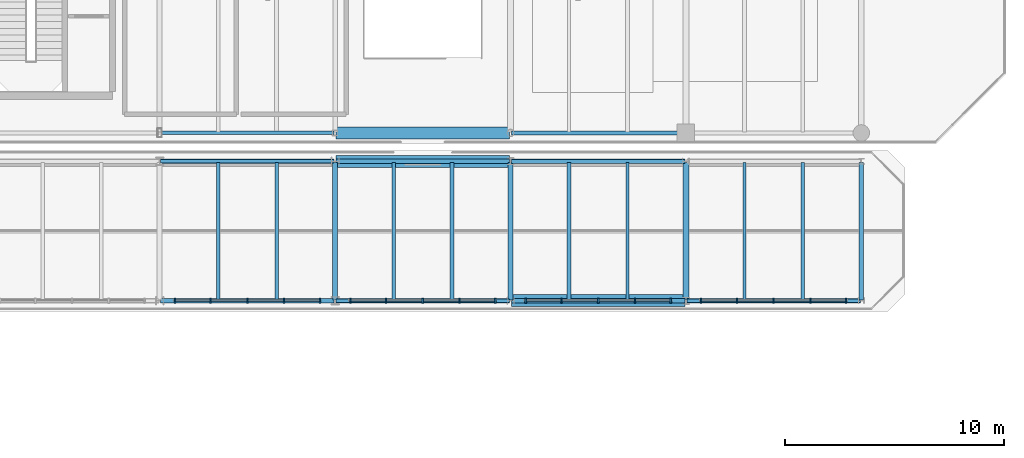
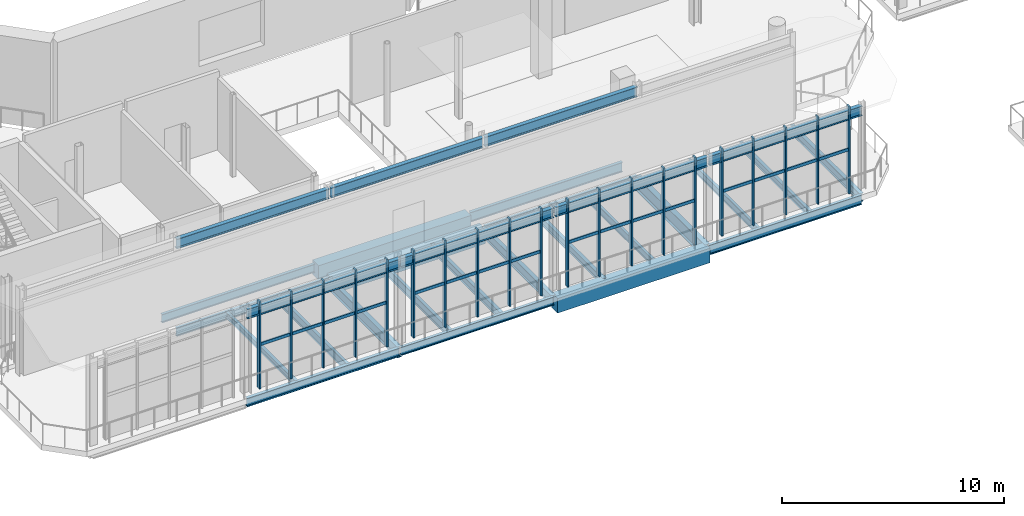
# One storey, part 36 of 93: 36 members, 29 beams, 4 elements without a shape of their own.
"""IFC4 building model written with IfcOpenShell, lengths in metres."""

from ifc_helpers import new_model, si_unit, direction, frame, origin, origin_2d, place, context, subcontext, project, spatial, rectangle, i_section, extrude, material, material_profile, profile_set, type_object, element, aggregate, save


model = new_model("IFC4")

# Units and contexts
model_context = context("Model", 3, precision=1e-05, world=origin(), true_north=direction((0.0, 1.0)))
body_context = subcontext(model_context, "Body", "Model", "MODEL_VIEW")
ifc_project = project(units=[si_unit("LENGTHUNIT", "METRE"), si_unit("AREAUNIT", "SQUARE_METRE"), si_unit("VOLUMEUNIT", "CUBIC_METRE"), si_unit("PLANEANGLEUNIT", "RADIAN"), si_unit("MASSUNIT", "GRAM", prefix="KILO")], contexts=[model_context])

# Site, building, storey
site_placement = place(None, origin())
site = spatial("IfcSite", under=ifc_project, at=site_placement, CompositionType="ELEMENT")
building_placement = place(site_placement, origin())
building = spatial("IfcBuilding", under=site, at=building_placement, Name="Brisemont Oceanarium", CompositionType="ELEMENT")
storey_placement = place(building_placement, frame((0.0, 0.0, 5.39990234375)))
storey = spatial("IfcBuildingStorey", under=building, at=storey_placement, Name="L01", CompositionType="ELEMENT", Elevation=5.39990234375)

# Beams
ifc_material_1 = material(Name="Concrete C40/50", Category="concrete")
ifc_material_profile_1 = material_profile(ifc_material_1, rectangle(XDim=0.550048828125, YDim=0.800048828125, at=origin_2d()), Name="RC-BM-550X800")
ifc_profile_set_1 = profile_set([ifc_material_profile_1], Name="Concrete C40/50")
beam_type_1 = type_object("IfcBeamType", Name="BM-RC550X800", PredefinedType="SPANDREL", material=ifc_profile_set_1)
for number, where, z_axis, x_axis, name in (
    (1, (80.0400390625, 32.64990234375, -0.739990234375), (1.0, 0.0, 0.0), (0.0, 1.0, 0.0), "V1 L01 EW girder"),
    (2, (88.0400390625, 25.0, -0.699951171875), (1.0, 0.0, 0.0), (0.0, 1.0, 0.0), "V1P L01 EW girder"),
    (3, (80.0400390625, 31.35009765625, -0.699951171875), (1.0, 0.0, 0.0), (0.0, 1.0, 0.0), "V1P L01 EW girder"),
):
    element("IfcBeam", number, at=place(storey_placement, frame(where, z_axis=z_axis, x_axis=x_axis)), inside=storey, type_object=beam_type_1, Name=name, PredefinedType="SPANDREL", context=body_context, shape_type="SweptSolid", body=[
        extrude(rectangle(XDim=0.550048828125, YDim=0.800048828125, at=origin_2d()), origin(), (0.0, 0.0, 1.0), 7.919921875),
    ])
ifc_material_2 = material(Name="Structural Steel ASTM A992 Gr.50", Category="steel")
ifc_material_profile_2 = material_profile(ifc_material_2, i_section(OverallWidth=0.1650390625, OverallDepth=0.31005859375, WebThickness=0.005859375, FlangeThickness=0.009765625, FilletRadius=0.008056640625, at=origin_2d()), Name="W12X26")
ifc_profile_set_2 = profile_set([ifc_material_profile_2], Name="Structural Steel ASTM A992 Gr.50")
beam_type_2 = type_object("IfcBeamType", Name="BM-W12X26", PredefinedType="JOIST", material=ifc_profile_set_2)
beam_1_placement = place(storey_placement, frame((74.666748046875, 25.0400390625, -0.454833984375), z_axis=(0.0, 1.0, 0.0), x_axis=(-1.0, 0.0, 0.0)))
element("IfcBeam", 4, at=beam_1_placement, inside=storey, type_object=beam_type_2, Name="V1P L01 secondary floor beam", PredefinedType="JOIST", context=body_context, shape_type="SweptSolid", body=[
    extrude(i_section(OverallWidth=0.1650390625, OverallDepth=0.31005859375, WebThickness=0.005859375, FlangeThickness=0.009765625, FilletRadius=0.008056640625, at=origin_2d()), origin(), (0.0, 0.0, 1.0), 6.27001953125),
])
ifc_material_3 = material(Name="Structural Steel ASTM A992 Gr.50", Category="steel")
ifc_material_profile_3 = material_profile(ifc_material_3, i_section(OverallWidth=0.1708984375, OverallDepth=0.35107421875, WebThickness=0.0068359375, FlangeThickness=0.009765625, FilletRadius=0.010009765625, at=origin_2d()), Name="W14X30")
ifc_profile_set_3 = profile_set([ifc_material_profile_3], Name="Structural Steel ASTM A992 Gr.50")
beam_type_3 = type_object("IfcBeamType", Name="BM-W14X30", PredefinedType="JOIST", material=ifc_profile_set_3)
beam_2_placement = place(storey_placement, frame((101.333251953125, 25.0400390625, -0.475341796875), z_axis=(0.0, 1.0, 0.0), x_axis=(-1.0, 0.0, 0.0)))
element("IfcBeam", 5, at=beam_2_placement, inside=storey, type_object=beam_type_3, Name="V1P L01 secondary floor beam", PredefinedType="JOIST", context=body_context, shape_type="SweptSolid", body=[
    extrude(i_section(OverallWidth=0.1708984375, OverallDepth=0.35107421875, WebThickness=0.0068359375, FlangeThickness=0.009765625, FilletRadius=0.010009765625, at=origin_2d()), origin(), (0.0, 0.0, 1.0), 6.27001953125),
])
ifc_material_4 = material(Name="Structural Steel ASTM A992 Gr.50", Category="steel")
ifc_material_profile_4 = material_profile(ifc_material_4, i_section(OverallWidth=0.139892578125, OverallDepth=0.39892578125, WebThickness=0.00634765625, FlangeThickness=0.0087890625, FilletRadius=0.010009765625, at=origin_2d()), Name="W16X26")
ifc_profile_set_4 = profile_set([ifc_material_profile_4], Name="Structural Steel ASTM A992 Gr.50")
beam_type_4 = type_object("IfcBeamType", Name="BM-W16X26", PredefinedType="JOIST", material=ifc_profile_set_4)
for number, where, z_axis, x_axis, name in (
    (6, (93.333251953125, 25.0400390625, -0.49951171875), (0.0, 1.0, 0.0), (-1.0, 0.0, 0.0), "V1P L01 secondary floor beam"),
    (7, (98.666748046875, 25.0400390625, -0.49951171875), (0.0, 1.0, 0.0), (-1.0, 0.0, 0.0), "V1P L01 secondary floor beam"),
):
    element("IfcBeam", number, at=place(storey_placement, frame(where, z_axis=z_axis, x_axis=x_axis)), inside=storey, type_object=beam_type_4, Name=name, PredefinedType="JOIST", context=body_context, shape_type="SweptSolid", body=[
        extrude(i_section(OverallWidth=0.139892578125, OverallDepth=0.39892578125, WebThickness=0.00634765625, FlangeThickness=0.0087890625, FilletRadius=0.010009765625, at=origin_2d()), origin(), (0.0, 0.0, 1.0), 6.27001953125),
    ])
ifc_material_5 = material(Name="Structural Steel ASTM A992 Gr.50", Category="steel")
ifc_material_profile_5 = material_profile(ifc_material_5, i_section(OverallWidth=0.177978515625, OverallDepth=0.404052734375, WebThickness=0.007568359375, FlangeThickness=0.010986328125, FilletRadius=0.010009765625, at=origin_2d()), Name="W16X36")
ifc_profile_set_5 = profile_set([ifc_material_profile_5], Name="Structural Steel ASTM A992 Gr.50")
beam_type_5 = type_object("IfcBeamType", Name="BM-W16X36", PredefinedType="JOIST", material=ifc_profile_set_5)
for number, where, z_axis, x_axis, name in (
    (8, (85.333251953125, 25.0400390625, -0.501953125), (0.0, 1.0, 0.0), (-1.0, 0.0, 0.0), "V1P L01 secondary floor beam"),
    (9, (90.666748046875, 25.0400390625, -0.501953125), (0.0, 1.0, 0.0), (-1.0, 0.0, 0.0), "V1P L01 secondary floor beam"),
):
    element("IfcBeam", number, at=place(storey_placement, frame(where, z_axis=z_axis, x_axis=x_axis)), inside=storey, type_object=beam_type_5, Name=name, PredefinedType="JOIST", context=body_context, shape_type="SweptSolid", body=[
        extrude(i_section(OverallWidth=0.177978515625, OverallDepth=0.404052734375, WebThickness=0.007568359375, FlangeThickness=0.010986328125, FilletRadius=0.010009765625, at=origin_2d()), origin(), (0.0, 0.0, 1.0), 6.27001953125),
    ])
ifc_material_6 = material(Name="Structural Steel ASTM A992 Gr.50", Category="steel")
ifc_material_profile_6 = material_profile(ifc_material_6, i_section(OverallWidth=0.153076171875, OverallDepth=0.455078125, WebThickness=0.008056640625, FlangeThickness=0.01318359375, FilletRadius=0.010986328125, at=origin_2d()), Name="W18X40")
ifc_profile_set_6 = profile_set([ifc_material_profile_6], Name="Structural Steel ASTM A992 Gr.50")
beam_type_6 = type_object("IfcBeamType", Name="BM-W18X40", PredefinedType="JOIST", material=ifc_profile_set_6)
for number, where, z_axis, x_axis, name in (
    (10, (77.333251953125, 25.0400390625, -0.52734375), (0.0, 1.0, 0.0), (-1.0, 0.0, 0.0), "V1P L01 secondary floor beam"),
    (11, (82.666748046875, 25.0400390625, -0.52734375), (0.0, 1.0, 0.0), (-1.0, 0.0, 0.0), "V1P L01 secondary floor beam"),
):
    element("IfcBeam", number, at=place(storey_placement, frame(where, z_axis=z_axis, x_axis=x_axis)), inside=storey, type_object=beam_type_6, Name=name, PredefinedType="JOIST", context=body_context, shape_type="SweptSolid", body=[
        extrude(i_section(OverallWidth=0.153076171875, OverallDepth=0.455078125, WebThickness=0.008056640625, FlangeThickness=0.01318359375, FilletRadius=0.010986328125, at=origin_2d()), origin(), (0.0, 0.0, 1.0), 6.27001953125),
    ])
ifc_material_7 = material(Name="Structural Steel ASTM A992 Gr.50", Category="steel")
ifc_material_profile_7 = material_profile(ifc_material_7, i_section(OverallWidth=0.154052734375, OverallDepth=0.458984375, WebThickness=0.009033203125, FlangeThickness=0.015380859375, FilletRadius=0.010986328125, at=origin_2d()), Name="W18X46")
ifc_profile_set_7 = profile_set([ifc_material_profile_7], Name="Structural Steel ASTM A992 Gr.50")
beam_type_7 = type_object("IfcBeamType", Name="BM-W18X46", PredefinedType="SPANDREL", material=ifc_profile_set_7)
for number, where, z_axis, x_axis, name in (
    (12, (72.0400390625, 32.64990234375, -0.5693359375), (1.0, 0.0, 0.0), (0.0, 1.0, 0.0), "V1 L01 EW girder"),
    (13, (80.0400390625, 25.0, -0.529296875), (1.0, 0.0, 0.0), (0.0, 1.0, 0.0), "V1P L01 EW girder"),
    (14, (72.0400390625, 31.35009765625, -0.529296875), (1.0, 0.0, 0.0), (0.0, 1.0, 0.0), "V1P L01 EW girder"),
):
    element("IfcBeam", number, at=place(storey_placement, frame(where, z_axis=z_axis, x_axis=x_axis)), inside=storey, type_object=beam_type_7, Name=name, PredefinedType="SPANDREL", context=body_context, shape_type="SweptSolid", body=[
        extrude(i_section(OverallWidth=0.154052734375, OverallDepth=0.458984375, WebThickness=0.009033203125, FlangeThickness=0.015380859375, FilletRadius=0.010986328125, at=origin_2d()), origin(), (0.0, 0.0, 1.0), 7.919921875),
    ])
ifc_material_8 = material(Name="Structural Steel ASTM A992 Gr.50", Category="steel")
ifc_material_profile_8 = material_profile(ifc_material_8, i_section(OverallWidth=0.19091796875, OverallDepth=0.4599609375, WebThickness=0.010009765625, FlangeThickness=0.01611328125, FilletRadius=0.010986328125, at=origin_2d()), Name="W18X55")
ifc_profile_set_8 = profile_set([ifc_material_profile_8], Name="Structural Steel ASTM A992 Gr.50")
beam_type_8 = type_object("IfcBeamType", Name="BM-W18X55", PredefinedType="SPANDREL", material=ifc_profile_set_8)
beam_3_placement = place(storey_placement, frame((72.0400390625, 25.0, -0.52978515625), z_axis=(1.0, 0.0, 0.0), x_axis=(0.0, 1.0, 0.0)))
element("IfcBeam", 15, at=beam_3_placement, inside=storey, type_object=beam_type_8, Name="V1P L01 EW girder", PredefinedType="SPANDREL", context=body_context, shape_type="SweptSolid", body=[
    extrude(i_section(OverallWidth=0.19091796875, OverallDepth=0.4599609375, WebThickness=0.010009765625, FlangeThickness=0.01611328125, FilletRadius=0.010986328125, at=origin_2d()), origin(), (0.0, 0.0, 1.0), 7.919921875),
])
beam_4_placement = place(storey_placement, frame((104.0, 25.0400390625, -0.52978515625), z_axis=(0.0, 1.0, 0.0), x_axis=(-1.0, 0.0, 0.0)))
element("IfcBeam", 16, at=beam_4_placement, inside=storey, type_object=beam_type_8, Name="V1P L01 NS girder", PredefinedType="SPANDREL", context=body_context, shape_type="SweptSolid", body=[
    extrude(i_section(OverallWidth=0.19091796875, OverallDepth=0.4599609375, WebThickness=0.010009765625, FlangeThickness=0.01611328125, FilletRadius=0.010986328125, at=origin_2d()), origin(), (0.0, 0.0, 1.0), 6.27001953125),
])
ifc_material_9 = material(Name="Structural Steel ASTM A992 Gr.50", Category="steel")
ifc_material_profile_9 = material_profile(ifc_material_9, i_section(OverallWidth=0.166015625, OverallDepth=0.528076171875, WebThickness=0.009765625, FlangeThickness=0.013671875, FilletRadius=0.012939453125, at=origin_2d()), Name="W21X50")
ifc_profile_set_9 = profile_set([ifc_material_profile_9], Name="Structural Steel ASTM A992 Gr.50")
beam_type_9 = type_object("IfcBeamType", Name="BM-W21X50", PredefinedType="SPANDREL", material=ifc_profile_set_9)
for number, where, z_axis, x_axis, name in (
    (17, (88.0400390625, 32.64990234375, -0.60400390625), (1.0, 0.0, 0.0), (0.0, 1.0, 0.0), "V1 L01 EW girder"),
    (18, (96.0400390625, 25.0, -0.56396484375), (1.0, 0.0, 0.0), (0.0, 1.0, 0.0), "V1P L01 EW girder"),
    (19, (88.0400390625, 31.35009765625, -0.56396484375), (1.0, 0.0, 0.0), (0.0, 1.0, 0.0), "V1P L01 EW girder"),
):
    element("IfcBeam", number, at=place(storey_placement, frame(where, z_axis=z_axis, x_axis=x_axis)), inside=storey, type_object=beam_type_9, Name=name, PredefinedType="SPANDREL", context=body_context, shape_type="SweptSolid", body=[
        extrude(i_section(OverallWidth=0.166015625, OverallDepth=0.528076171875, WebThickness=0.009765625, FlangeThickness=0.013671875, FilletRadius=0.012939453125, at=origin_2d()), origin(), (0.0, 0.0, 1.0), 7.919921875),
    ])
ifc_material_10 = material(Name="Structural Steel ASTM A992 Gr.50", Category="steel")
ifc_material_profile_10 = material_profile(ifc_material_10, i_section(OverallWidth=0.2099609375, OverallDepth=0.532958984375, WebThickness=0.01025390625, FlangeThickness=0.015625, FilletRadius=0.012939453125, at=origin_2d()), Name="W21X62")
ifc_profile_set_10 = profile_set([ifc_material_profile_10], Name="Structural Steel ASTM A992 Gr.50")
beam_type_10 = type_object("IfcBeamType", Name="BM-W21X62", PredefinedType="BEAM", material=ifc_profile_set_10)
beam_5_placement = place(storey_placement, frame((88.0, 25.0400390625, -0.56640625), z_axis=(0.0, 1.0, 0.0), x_axis=(-1.0, 0.0, 0.0)))
element("IfcBeam", 20, at=beam_5_placement, inside=storey, type_object=beam_type_10, Name="V1P L01 NS girder", PredefinedType="BEAM", context=body_context, shape_type="SweptSolid", body=[
    extrude(i_section(OverallWidth=0.2099609375, OverallDepth=0.532958984375, WebThickness=0.01025390625, FlangeThickness=0.015625, FilletRadius=0.012939453125, at=origin_2d()), origin(), (0.0, 0.0, 1.0), 6.27001953125),
])
for number, where, z_axis, x_axis, name in (
    (21, (72.0400390625, 25.0, 4.33349609375), (1.0, 0.0, 0.0), (0.0, 1.0, 0.0), "V1P roof eave girder"),
    (22, (80.0400390625, 25.0, 4.33349609375), (1.0, 0.0, 0.0), (0.0, 1.0, 0.0), "V1P roof eave girder"),
    (23, (88.0400390625, 25.0, 4.33349609375), (1.0, 0.0, 0.0), (0.0, 1.0, 0.0), "V1P roof eave girder"),
    (24, (96.0400390625, 25.0, 4.33349609375), (1.0, 0.0, 0.0), (0.0, 1.0, 0.0), "V1P roof eave girder"),
    (25, (72.0400390625, 31.35009765625, 4.33349609375), (1.0, 0.0, 0.0), (0.0, 1.0, 0.0), "V1P roof eave girder"),
    (26, (80.0400390625, 31.35009765625, 4.33349609375), (1.0, 0.0, 0.0), (0.0, 1.0, 0.0), "V1P roof eave girder"),
    (27, (88.0400390625, 31.35009765625, 4.33349609375), (1.0, 0.0, 0.0), (0.0, 1.0, 0.0), "V1P roof eave girder"),
):
    element("IfcBeam", number, at=place(storey_placement, frame(where, z_axis=z_axis, x_axis=x_axis)), inside=storey, type_object=beam_type_10, Name=name, PredefinedType="BEAM", context=body_context, shape_type="SweptSolid", body=[
        extrude(i_section(OverallWidth=0.2099609375, OverallDepth=0.532958984375, WebThickness=0.01025390625, FlangeThickness=0.015625, FilletRadius=0.012939453125, at=origin_2d()), origin(), (0.0, 0.0, 1.0), 7.919921875),
    ])
ifc_material_11 = material(Name="Structural Steel ASTM A992 Gr.50", Category="steel")
ifc_material_profile_11 = material_profile(ifc_material_11, i_section(OverallWidth=0.22802734375, OverallDepth=0.60205078125, WebThickness=0.010498046875, FlangeThickness=0.014892578125, FilletRadius=0.012939453125, at=origin_2d()), Name="W24X68")
ifc_profile_set_11 = profile_set([ifc_material_profile_11], Name="Structural Steel ASTM A992 Gr.50")
beam_type_11 = type_object("IfcBeamType", Name="BM-W24X68", PredefinedType="BEAM", material=ifc_profile_set_11)
beam_6_placement = place(storey_placement, frame((80.0, 25.0400390625, -0.600830078125), z_axis=(0.0, 1.0, 0.0), x_axis=(-1.0, 0.0, 0.0)))
element("IfcBeam", 28, at=beam_6_placement, inside=storey, type_object=beam_type_11, Name="V1P L01 NS girder", PredefinedType="BEAM", context=body_context, shape_type="SweptSolid", body=[
    extrude(i_section(OverallWidth=0.22802734375, OverallDepth=0.60205078125, WebThickness=0.010498046875, FlangeThickness=0.014892578125, FilletRadius=0.012939453125, at=origin_2d()), origin(), (0.0, 0.0, 1.0), 6.27001953125),
])
ifc_material_12 = material(Name="Structural Steel ASTM A992 Gr.50", Category="steel")
ifc_material_profile_12 = material_profile(ifc_material_12, i_section(OverallWidth=0.26708984375, OverallDepth=0.761962890625, WebThickness=0.014404296875, FlangeThickness=0.021484375, FilletRadius=0.01611328125, at=origin_2d()), Name="W30X116")
ifc_profile_set_12 = profile_set([ifc_material_profile_12], Name="Structural Steel ASTM A992 Gr.50")
beam_type_12 = type_object("IfcBeamType", Name="BM-W30X116", PredefinedType="BEAM", material=ifc_profile_set_12)
beam_7_placement = place(storey_placement, frame((96.0, 25.0400390625, -0.680908203125), z_axis=(0.0, 1.0, 0.0), x_axis=(-1.0, 0.0, 0.0)))
element("IfcBeam", 29, at=beam_7_placement, inside=storey, type_object=beam_type_12, Name="V1P L01 NS girder", PredefinedType="BEAM", context=body_context, shape_type="SweptSolid", body=[
    extrude(i_section(OverallWidth=0.26708984375, OverallDepth=0.761962890625, WebThickness=0.014404296875, FlangeThickness=0.021484375, FilletRadius=0.01611328125, at=origin_2d()), origin(), (0.0, 0.0, 1.0), 6.27001953125),
])

# Curtain wall, members
ifc_material_13 = material(Name="Anodized Extruded Aluminum 6063-T6", Category="aluminium")
curtain_wall_type = type_object("IfcCurtainWallType", Name="CW-ROT-69X44", PredefinedType="NOTDEFINED", material=ifc_material_13)
curtain_wall_1_placement = place(storey_placement, origin())
curtain_wall_1 = element("IfcCurtainWall", 30, at=curtain_wall_1_placement, inside=storey, type_object=curtain_wall_type, Name="CW-03 curtain wall CW-V1P-S-L01-02", PredefinedType="NOTDEFINED")
ifc_material_14 = material(Name="Anodized Extruded Aluminum 6063-T6", Category="aluminium")
ifc_material_profile_13 = material_profile(ifc_material_14, rectangle(XDim=0.074951171875, YDim=0.219970703125, at=origin_2d()), Name="CWM-75X220")
ifc_profile_set_13 = profile_set([ifc_material_profile_13], Name="Anodized Extruded Aluminum 6063-T6")
member_type_1 = type_object("IfcMemberType", Name="MEM-CWM-75", PredefinedType="MULLION", material=ifc_profile_set_13)
member_1_placement = place(storey_placement, frame((72.695068359375, 25.0, 0.0), z_axis=(0.0, 0.0, 1.0), x_axis=(1.0, 0.0, 0.0)))
member_1 = element("IfcMember", 31, at=member_1_placement, type_object=member_type_1, Name="CW-V1P-S-L01-02 mullion 1", PredefinedType="MULLION", context=body_context, shape_type="SweptSolid", body=[
    extrude(rectangle(XDim=0.074951171875, YDim=0.219970703125, at=origin_2d()), origin(), (0.0, 0.0, 1.0), 4.800048828125),
])
member_2_placement = place(storey_placement, frame((74.324951171875, 25.0, 0.0), z_axis=(0.0, 0.0, 1.0), x_axis=(1.0, 0.0, 0.0)))
member_2 = element("IfcMember", 32, at=member_2_placement, type_object=member_type_1, Name="CW-V1P-S-L01-02 mullion 2", PredefinedType="MULLION", context=body_context, shape_type="SweptSolid", body=[
    extrude(rectangle(XDim=0.074951171875, YDim=0.219970703125, at=origin_2d()), origin(), (0.0, 0.0, 1.0), 4.800048828125),
])
member_3_placement = place(storey_placement, frame((76.0, 25.0, 0.0), z_axis=(0.0, 0.0, 1.0), x_axis=(1.0, 0.0, 0.0)))
member_3 = element("IfcMember", 33, at=member_3_placement, type_object=member_type_1, Name="CW-V1P-S-L01-02 mullion 3", PredefinedType="MULLION", context=body_context, shape_type="SweptSolid", body=[
    extrude(rectangle(XDim=0.074951171875, YDim=0.219970703125, at=origin_2d()), origin(), (0.0, 0.0, 1.0), 4.800048828125),
])
member_4_placement = place(storey_placement, frame((77.675048828125, 25.0, 0.0), z_axis=(0.0, 0.0, 1.0), x_axis=(1.0, 0.0, 0.0)))
member_4 = element("IfcMember", 34, at=member_4_placement, type_object=member_type_1, Name="CW-V1P-S-L01-02 mullion 4", PredefinedType="MULLION", context=body_context, shape_type="SweptSolid", body=[
    extrude(rectangle(XDim=0.074951171875, YDim=0.219970703125, at=origin_2d()), origin(), (0.0, 0.0, 1.0), 4.800048828125),
])
member_5_placement = place(storey_placement, frame((79.304931640625, 25.0, 0.0), z_axis=(0.0, 0.0, 1.0), x_axis=(1.0, 0.0, 0.0)))
member_5 = element("IfcMember", 35, at=member_5_placement, type_object=member_type_1, Name="CW-V1P-S-L01-02 mullion 5", PredefinedType="MULLION", context=body_context, shape_type="SweptSolid", body=[
    extrude(rectangle(XDim=0.074951171875, YDim=0.219970703125, at=origin_2d()), origin(), (0.0, 0.0, 1.0), 4.800048828125),
])

curtain_wall_2_placement = place(storey_placement, origin())
curtain_wall_2 = element("IfcCurtainWall", 36, at=curtain_wall_2_placement, inside=storey, type_object=curtain_wall_type, Name="CW-03 curtain wall CW-V1P-S-L01-03", PredefinedType="NOTDEFINED")
member_6_placement = place(storey_placement, frame((80.695068359375, 25.0, 0.0), z_axis=(0.0, 0.0, 1.0), x_axis=(1.0, 0.0, 0.0)))
member_6 = element("IfcMember", 37, at=member_6_placement, type_object=member_type_1, Name="CW-V1P-S-L01-03 mullion 1", PredefinedType="MULLION", context=body_context, shape_type="SweptSolid", body=[
    extrude(rectangle(XDim=0.074951171875, YDim=0.219970703125, at=origin_2d()), origin(), (0.0, 0.0, 1.0), 4.800048828125),
])
member_7_placement = place(storey_placement, frame((82.324951171875, 25.0, 0.0), z_axis=(0.0, 0.0, 1.0), x_axis=(1.0, 0.0, 0.0)))
member_7 = element("IfcMember", 38, at=member_7_placement, type_object=member_type_1, Name="CW-V1P-S-L01-03 mullion 2", PredefinedType="MULLION", context=body_context, shape_type="SweptSolid", body=[
    extrude(rectangle(XDim=0.074951171875, YDim=0.219970703125, at=origin_2d()), origin(), (0.0, 0.0, 1.0), 4.800048828125),
])
member_8_placement = place(storey_placement, frame((84.0, 25.0, 0.0), z_axis=(0.0, 0.0, 1.0), x_axis=(1.0, 0.0, 0.0)))
member_8 = element("IfcMember", 39, at=member_8_placement, type_object=member_type_1, Name="CW-V1P-S-L01-03 mullion 3", PredefinedType="MULLION", context=body_context, shape_type="SweptSolid", body=[
    extrude(rectangle(XDim=0.074951171875, YDim=0.219970703125, at=origin_2d()), origin(), (0.0, 0.0, 1.0), 4.800048828125),
])
member_9_placement = place(storey_placement, frame((85.675048828125, 25.0, 0.0), z_axis=(0.0, 0.0, 1.0), x_axis=(1.0, 0.0, 0.0)))
member_9 = element("IfcMember", 40, at=member_9_placement, type_object=member_type_1, Name="CW-V1P-S-L01-03 mullion 4", PredefinedType="MULLION", context=body_context, shape_type="SweptSolid", body=[
    extrude(rectangle(XDim=0.074951171875, YDim=0.219970703125, at=origin_2d()), origin(), (0.0, 0.0, 1.0), 4.800048828125),
])
member_10_placement = place(storey_placement, frame((87.304931640625, 25.0, 0.0), z_axis=(0.0, 0.0, 1.0), x_axis=(1.0, 0.0, 0.0)))
member_10 = element("IfcMember", 41, at=member_10_placement, type_object=member_type_1, Name="CW-V1P-S-L01-03 mullion 5", PredefinedType="MULLION", context=body_context, shape_type="SweptSolid", body=[
    extrude(rectangle(XDim=0.074951171875, YDim=0.219970703125, at=origin_2d()), origin(), (0.0, 0.0, 1.0), 4.800048828125),
])

curtain_wall_3_placement = place(storey_placement, origin())
curtain_wall_3 = element("IfcCurtainWall", 42, at=curtain_wall_3_placement, inside=storey, type_object=curtain_wall_type, Name="CW-03 curtain wall CW-V1P-S-L01-04", PredefinedType="NOTDEFINED")
member_11_placement = place(storey_placement, frame((88.695068359375, 25.0, 0.0), z_axis=(0.0, 0.0, 1.0), x_axis=(1.0, 0.0, 0.0)))
member_11 = element("IfcMember", 43, at=member_11_placement, type_object=member_type_1, Name="CW-V1P-S-L01-04 mullion 1", PredefinedType="MULLION", context=body_context, shape_type="SweptSolid", body=[
    extrude(rectangle(XDim=0.074951171875, YDim=0.219970703125, at=origin_2d()), origin(), (0.0, 0.0, 1.0), 4.800048828125),
])
member_12_placement = place(storey_placement, frame((90.324951171875, 25.0, 0.0), z_axis=(0.0, 0.0, 1.0), x_axis=(1.0, 0.0, 0.0)))
member_12 = element("IfcMember", 44, at=member_12_placement, type_object=member_type_1, Name="CW-V1P-S-L01-04 mullion 2", PredefinedType="MULLION", context=body_context, shape_type="SweptSolid", body=[
    extrude(rectangle(XDim=0.074951171875, YDim=0.219970703125, at=origin_2d()), origin(), (0.0, 0.0, 1.0), 4.800048828125),
])
member_13_placement = place(storey_placement, frame((92.0, 25.0, 0.0), z_axis=(0.0, 0.0, 1.0), x_axis=(1.0, 0.0, 0.0)))
member_13 = element("IfcMember", 45, at=member_13_placement, type_object=member_type_1, Name="CW-V1P-S-L01-04 mullion 3", PredefinedType="MULLION", context=body_context, shape_type="SweptSolid", body=[
    extrude(rectangle(XDim=0.074951171875, YDim=0.219970703125, at=origin_2d()), origin(), (0.0, 0.0, 1.0), 4.800048828125),
])
member_14_placement = place(storey_placement, frame((93.675048828125, 25.0, 0.0), z_axis=(0.0, 0.0, 1.0), x_axis=(1.0, 0.0, 0.0)))
member_14 = element("IfcMember", 46, at=member_14_placement, type_object=member_type_1, Name="CW-V1P-S-L01-04 mullion 4", PredefinedType="MULLION", context=body_context, shape_type="SweptSolid", body=[
    extrude(rectangle(XDim=0.074951171875, YDim=0.219970703125, at=origin_2d()), origin(), (0.0, 0.0, 1.0), 4.800048828125),
])
member_15_placement = place(storey_placement, frame((95.304931640625, 25.0, 0.0), z_axis=(0.0, 0.0, 1.0), x_axis=(1.0, 0.0, 0.0)))
member_15 = element("IfcMember", 47, at=member_15_placement, type_object=member_type_1, Name="CW-V1P-S-L01-04 mullion 5", PredefinedType="MULLION", context=body_context, shape_type="SweptSolid", body=[
    extrude(rectangle(XDim=0.074951171875, YDim=0.219970703125, at=origin_2d()), origin(), (0.0, 0.0, 1.0), 4.800048828125),
])

curtain_wall_4_placement = place(storey_placement, origin())
curtain_wall_4 = element("IfcCurtainWall", 48, at=curtain_wall_4_placement, inside=storey, type_object=curtain_wall_type, Name="CW-03 curtain wall CW-V1P-S-L01-05", PredefinedType="NOTDEFINED")
member_16_placement = place(storey_placement, frame((96.695068359375, 25.0, 0.0), z_axis=(0.0, 0.0, 1.0), x_axis=(1.0, 0.0, 0.0)))
member_16 = element("IfcMember", 49, at=member_16_placement, type_object=member_type_1, Name="CW-V1P-S-L01-05 mullion 1", PredefinedType="MULLION", context=body_context, shape_type="SweptSolid", body=[
    extrude(rectangle(XDim=0.074951171875, YDim=0.219970703125, at=origin_2d()), origin(), (0.0, 0.0, 1.0), 4.800048828125),
])
member_17_placement = place(storey_placement, frame((98.324951171875, 25.0, 0.0), z_axis=(0.0, 0.0, 1.0), x_axis=(1.0, 0.0, 0.0)))
member_17 = element("IfcMember", 50, at=member_17_placement, type_object=member_type_1, Name="CW-V1P-S-L01-05 mullion 2", PredefinedType="MULLION", context=body_context, shape_type="SweptSolid", body=[
    extrude(rectangle(XDim=0.074951171875, YDim=0.219970703125, at=origin_2d()), origin(), (0.0, 0.0, 1.0), 4.800048828125),
])
member_18_placement = place(storey_placement, frame((100.0, 25.0, 0.0), z_axis=(0.0, 0.0, 1.0), x_axis=(1.0, 0.0, 0.0)))
member_18 = element("IfcMember", 51, at=member_18_placement, type_object=member_type_1, Name="CW-V1P-S-L01-05 mullion 3", PredefinedType="MULLION", context=body_context, shape_type="SweptSolid", body=[
    extrude(rectangle(XDim=0.074951171875, YDim=0.219970703125, at=origin_2d()), origin(), (0.0, 0.0, 1.0), 4.800048828125),
])
member_19_placement = place(storey_placement, frame((101.675048828125, 25.0, 0.0), z_axis=(0.0, 0.0, 1.0), x_axis=(1.0, 0.0, 0.0)))
member_19 = element("IfcMember", 52, at=member_19_placement, type_object=member_type_1, Name="CW-V1P-S-L01-05 mullion 4", PredefinedType="MULLION", context=body_context, shape_type="SweptSolid", body=[
    extrude(rectangle(XDim=0.074951171875, YDim=0.219970703125, at=origin_2d()), origin(), (0.0, 0.0, 1.0), 4.800048828125),
])
member_20_placement = place(storey_placement, frame((103.304931640625, 25.0, 0.0), z_axis=(0.0, 0.0, 1.0), x_axis=(1.0, 0.0, 0.0)))
member_20 = element("IfcMember", 53, at=member_20_placement, type_object=member_type_1, Name="CW-V1P-S-L01-05 mullion 5", PredefinedType="MULLION", context=body_context, shape_type="SweptSolid", body=[
    extrude(rectangle(XDim=0.074951171875, YDim=0.219970703125, at=origin_2d()), origin(), (0.0, 0.0, 1.0), 4.800048828125),
])

# Member
ifc_material_15 = material(Name="Anodized Extruded Aluminum 6063-T6", Category="aluminium")
ifc_material_profile_14 = material_profile(ifc_material_15, rectangle(XDim=0.074951171875, YDim=0.1650390625, at=origin_2d()), Name="CWT-75X165")
ifc_profile_set_14 = profile_set([ifc_material_profile_14], Name="Anodized Extruded Aluminum 6063-T6")
member_type_2 = type_object("IfcMemberType", Name="MEM-CWT-75", PredefinedType="USERDEFINED", material=ifc_profile_set_14)
member_21_placement = place(storey_placement, frame((72.6650390625, 25.0, 2.400146484375), z_axis=(1.0, 0.0, 0.0), x_axis=(0.0, 1.0, 0.0)))
member_21 = element("IfcMember", 54, at=member_21_placement, type_object=member_type_2, Name="CW-V1P-S-L01-02 transom 1.1", ObjectType="TRANSOM", PredefinedType="USERDEFINED", context=body_context, shape_type="SweptSolid", body=[
    extrude(rectangle(XDim=0.074951171875, YDim=0.1650390625, at=origin_2d()), origin(), (0.0, 0.0, 1.0), 1.64501953125),
])

member_22_placement = place(storey_placement, frame((74.340087890625, 25.0, 2.400146484375), z_axis=(1.0, 0.0, 0.0), x_axis=(0.0, 1.0, 0.0)))
member_22 = element("IfcMember", 55, at=member_22_placement, type_object=member_type_2, Name="CW-V1P-S-L01-02 transom 2.1", ObjectType="TRANSOM", PredefinedType="USERDEFINED", context=body_context, shape_type="SweptSolid", body=[
    extrude(rectangle(XDim=0.074951171875, YDim=0.1650390625, at=origin_2d()), origin(), (0.0, 0.0, 1.0), 1.64501953125),
])

member_23_placement = place(storey_placement, frame((76.014892578125, 25.0, 2.400146484375), z_axis=(1.0, 0.0, 0.0), x_axis=(0.0, 1.0, 0.0)))
member_23 = element("IfcMember", 56, at=member_23_placement, type_object=member_type_2, Name="CW-V1P-S-L01-02 transom 3.1", ObjectType="TRANSOM", PredefinedType="USERDEFINED", context=body_context, shape_type="SweptSolid", body=[
    extrude(rectangle(XDim=0.074951171875, YDim=0.1650390625, at=origin_2d()), origin(), (0.0, 0.0, 1.0), 1.64501953125),
])

member_24_placement = place(storey_placement, frame((77.68994140625, 25.0, 2.400146484375), z_axis=(1.0, 0.0, 0.0), x_axis=(0.0, 1.0, 0.0)))
member_24 = element("IfcMember", 57, at=member_24_placement, type_object=member_type_2, Name="CW-V1P-S-L01-02 transom 4.1", ObjectType="TRANSOM", PredefinedType="USERDEFINED", context=body_context, shape_type="SweptSolid", body=[
    extrude(rectangle(XDim=0.074951171875, YDim=0.1650390625, at=origin_2d()), origin(), (0.0, 0.0, 1.0), 1.64501953125),
])

aggregate(curtain_wall_1, [member_1, member_2, member_3, member_4, member_5, member_21, member_22, member_23, member_24])

member_25_placement = place(storey_placement, frame((80.6650390625, 25.0, 2.400146484375), z_axis=(1.0, 0.0, 0.0), x_axis=(0.0, 1.0, 0.0)))
member_25 = element("IfcMember", 58, at=member_25_placement, type_object=member_type_2, Name="CW-V1P-S-L01-03 transom 1.1", ObjectType="TRANSOM", PredefinedType="USERDEFINED", context=body_context, shape_type="SweptSolid", body=[
    extrude(rectangle(XDim=0.074951171875, YDim=0.1650390625, at=origin_2d()), origin(), (0.0, 0.0, 1.0), 1.64501953125),
])

member_26_placement = place(storey_placement, frame((82.340087890625, 25.0, 2.400146484375), z_axis=(1.0, 0.0, 0.0), x_axis=(0.0, 1.0, 0.0)))
member_26 = element("IfcMember", 59, at=member_26_placement, type_object=member_type_2, Name="CW-V1P-S-L01-03 transom 2.1", ObjectType="TRANSOM", PredefinedType="USERDEFINED", context=body_context, shape_type="SweptSolid", body=[
    extrude(rectangle(XDim=0.074951171875, YDim=0.1650390625, at=origin_2d()), origin(), (0.0, 0.0, 1.0), 1.64501953125),
])

member_27_placement = place(storey_placement, frame((84.014892578125, 25.0, 2.400146484375), z_axis=(1.0, 0.0, 0.0), x_axis=(0.0, 1.0, 0.0)))
member_27 = element("IfcMember", 60, at=member_27_placement, type_object=member_type_2, Name="CW-V1P-S-L01-03 transom 3.1", ObjectType="TRANSOM", PredefinedType="USERDEFINED", context=body_context, shape_type="SweptSolid", body=[
    extrude(rectangle(XDim=0.074951171875, YDim=0.1650390625, at=origin_2d()), origin(), (0.0, 0.0, 1.0), 1.64501953125),
])

member_28_placement = place(storey_placement, frame((85.68994140625, 25.0, 2.400146484375), z_axis=(1.0, 0.0, 0.0), x_axis=(0.0, 1.0, 0.0)))
member_28 = element("IfcMember", 61, at=member_28_placement, type_object=member_type_2, Name="CW-V1P-S-L01-03 transom 4.1", ObjectType="TRANSOM", PredefinedType="USERDEFINED", context=body_context, shape_type="SweptSolid", body=[
    extrude(rectangle(XDim=0.074951171875, YDim=0.1650390625, at=origin_2d()), origin(), (0.0, 0.0, 1.0), 1.64501953125),
])

aggregate(curtain_wall_2, [member_6, member_7, member_8, member_9, member_10, member_25, member_26, member_27, member_28])

member_29_placement = place(storey_placement, frame((88.6650390625, 25.0, 2.400146484375), z_axis=(1.0, 0.0, 0.0), x_axis=(0.0, 1.0, 0.0)))
member_29 = element("IfcMember", 62, at=member_29_placement, type_object=member_type_2, Name="CW-V1P-S-L01-04 transom 1.1", ObjectType="TRANSOM", PredefinedType="USERDEFINED", context=body_context, shape_type="SweptSolid", body=[
    extrude(rectangle(XDim=0.074951171875, YDim=0.1650390625, at=origin_2d()), origin(), (0.0, 0.0, 1.0), 1.64501953125),
])

member_30_placement = place(storey_placement, frame((90.340087890625, 25.0, 2.400146484375), z_axis=(1.0, 0.0, 0.0), x_axis=(0.0, 1.0, 0.0)))
member_30 = element("IfcMember", 63, at=member_30_placement, type_object=member_type_2, Name="CW-V1P-S-L01-04 transom 2.1", ObjectType="TRANSOM", PredefinedType="USERDEFINED", context=body_context, shape_type="SweptSolid", body=[
    extrude(rectangle(XDim=0.074951171875, YDim=0.1650390625, at=origin_2d()), origin(), (0.0, 0.0, 1.0), 1.64501953125),
])

member_31_placement = place(storey_placement, frame((92.014892578125, 25.0, 2.400146484375), z_axis=(1.0, 0.0, 0.0), x_axis=(0.0, 1.0, 0.0)))
member_31 = element("IfcMember", 64, at=member_31_placement, type_object=member_type_2, Name="CW-V1P-S-L01-04 transom 3.1", ObjectType="TRANSOM", PredefinedType="USERDEFINED", context=body_context, shape_type="SweptSolid", body=[
    extrude(rectangle(XDim=0.074951171875, YDim=0.1650390625, at=origin_2d()), origin(), (0.0, 0.0, 1.0), 1.64501953125),
])

member_32_placement = place(storey_placement, frame((93.68994140625, 25.0, 2.400146484375), z_axis=(1.0, 0.0, 0.0), x_axis=(0.0, 1.0, 0.0)))
member_32 = element("IfcMember", 65, at=member_32_placement, type_object=member_type_2, Name="CW-V1P-S-L01-04 transom 4.1", ObjectType="TRANSOM", PredefinedType="USERDEFINED", context=body_context, shape_type="SweptSolid", body=[
    extrude(rectangle(XDim=0.074951171875, YDim=0.1650390625, at=origin_2d()), origin(), (0.0, 0.0, 1.0), 1.64501953125),
])

aggregate(curtain_wall_3, [member_11, member_12, member_13, member_14, member_15, member_29, member_30, member_31, member_32])

member_33_placement = place(storey_placement, frame((96.6650390625, 25.0, 2.400146484375), z_axis=(1.0, 0.0, 0.0), x_axis=(0.0, 1.0, 0.0)))
member_33 = element("IfcMember", 66, at=member_33_placement, type_object=member_type_2, Name="CW-V1P-S-L01-05 transom 1.1", ObjectType="TRANSOM", PredefinedType="USERDEFINED", context=body_context, shape_type="SweptSolid", body=[
    extrude(rectangle(XDim=0.074951171875, YDim=0.1650390625, at=origin_2d()), origin(), (0.0, 0.0, 1.0), 1.64501953125),
])

member_34_placement = place(storey_placement, frame((98.340087890625, 25.0, 2.400146484375), z_axis=(1.0, 0.0, 0.0), x_axis=(0.0, 1.0, 0.0)))
member_34 = element("IfcMember", 67, at=member_34_placement, type_object=member_type_2, Name="CW-V1P-S-L01-05 transom 2.1", ObjectType="TRANSOM", PredefinedType="USERDEFINED", context=body_context, shape_type="SweptSolid", body=[
    extrude(rectangle(XDim=0.074951171875, YDim=0.1650390625, at=origin_2d()), origin(), (0.0, 0.0, 1.0), 1.64501953125),
])

member_35_placement = place(storey_placement, frame((100.014892578125, 25.0, 2.400146484375), z_axis=(1.0, 0.0, 0.0), x_axis=(0.0, 1.0, 0.0)))
member_35 = element("IfcMember", 68, at=member_35_placement, type_object=member_type_2, Name="CW-V1P-S-L01-05 transom 3.1", ObjectType="TRANSOM", PredefinedType="USERDEFINED", context=body_context, shape_type="SweptSolid", body=[
    extrude(rectangle(XDim=0.074951171875, YDim=0.1650390625, at=origin_2d()), origin(), (0.0, 0.0, 1.0), 1.64501953125),
])

member_36_placement = place(storey_placement, frame((101.68994140625, 25.0, 2.400146484375), z_axis=(1.0, 0.0, 0.0), x_axis=(0.0, 1.0, 0.0)))
member_36 = element("IfcMember", 69, at=member_36_placement, type_object=member_type_2, Name="CW-V1P-S-L01-05 transom 4.1", ObjectType="TRANSOM", PredefinedType="USERDEFINED", context=body_context, shape_type="SweptSolid", body=[
    extrude(rectangle(XDim=0.074951171875, YDim=0.1650390625, at=origin_2d()), origin(), (0.0, 0.0, 1.0), 1.64501953125),
])

aggregate(curtain_wall_4, [member_16, member_17, member_18, member_19, member_20, member_33, member_34, member_35, member_36])

save(model, "model.ifc")
